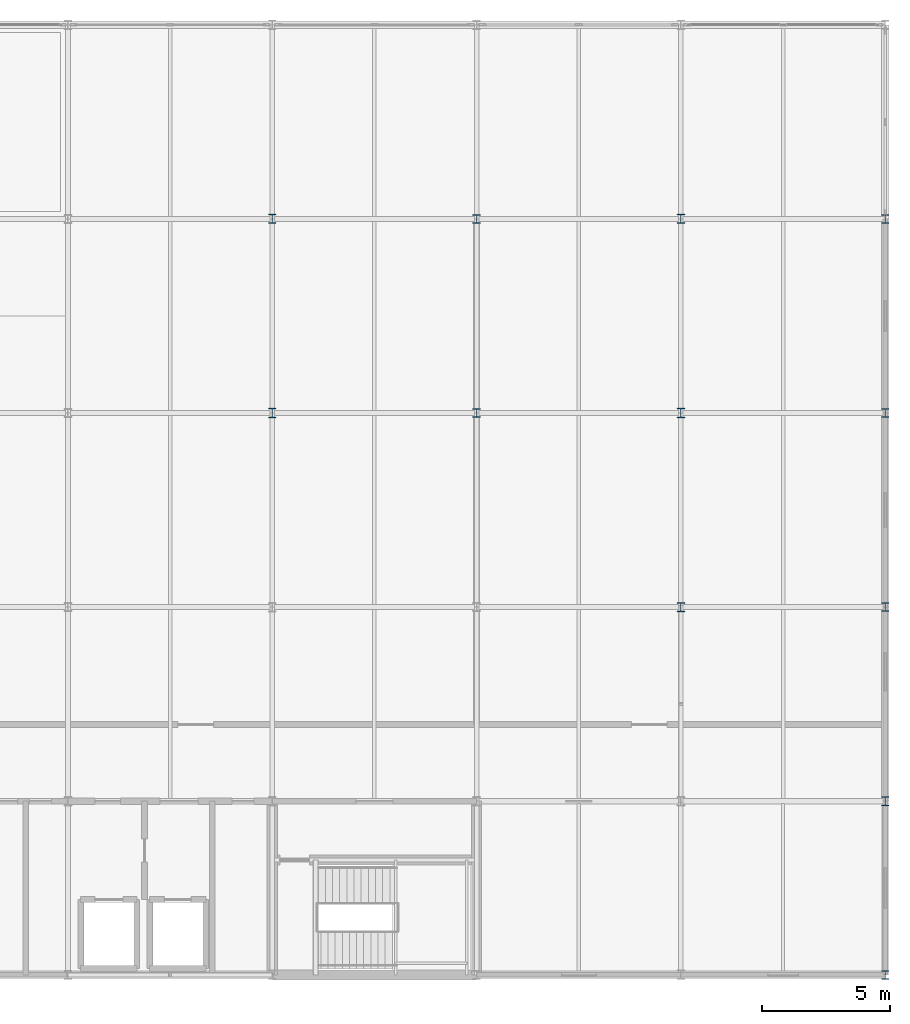
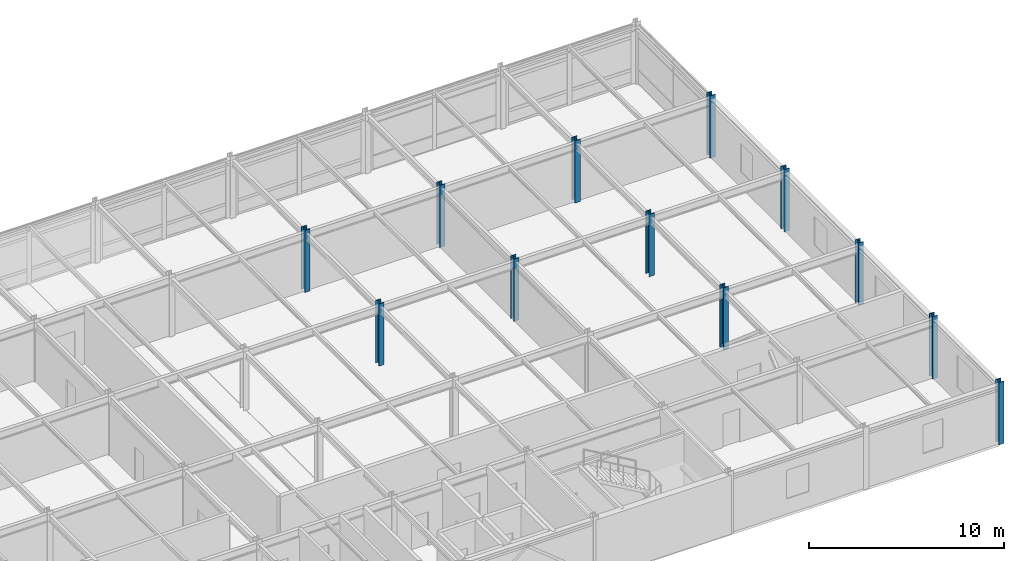
# One storey, part 2 of 16: 12 columns.
"""IFC4 building model written with IfcOpenShell, lengths in metres."""

import ifcopenshell
import ifcopenshell.guid

model = None  # the IFC model being written
_history = None  # IfcOwnerHistory: only IFC2X3 demands one
_inside = {}  # id of a spatial element -> (the spatial element, [elements in it])
_under = {}  # id of a project, library or spatial element -> (it, [spatial elements below it])
_declared = {}  # id of a project -> (the project, [libraries it declares])
_typed = {}  # id of a type object -> (the type object, [elements of that type])
_made_of = {}  # id of a material, layer set ... -> (it, [elements and type objects made of it])


def new_model(schema):
    """Start an empty IFC model of exactly this schema.

    Asked for "IFC4X3", IfcOpenShell would pick the latest addendum, in which some entities
    have other attributes; the version numbers below select the first issue.
    IFC2X3 requires an IfcOwnerHistory on every rooted entity: one is made here for all.
    """
    global model, _history
    if schema == "IFC4X3":
        model = ifcopenshell.file(schema_version=(4, 3, 0, 0))
    else:
        model = ifcopenshell.file(schema=schema)
    _inside.clear()
    _under.clear()
    _declared.clear()
    _typed.clear()
    _made_of.clear()
    _history = None
    if model.schema == "IFC2X3":
        org = make("IfcOrganization", Name="unknown")
        user = make(
            "IfcPersonAndOrganization",
            ThePerson=make("IfcPerson", FamilyName="unknown"),
            TheOrganization=org,
        )
        app = make(
            "IfcApplication",
            ApplicationDeveloper=org,
            Version="unknown",
            ApplicationFullName="unknown",
            ApplicationIdentifier="unknown",
        )
        _history = make(
            "IfcOwnerHistory",
            OwningUser=user,
            OwningApplication=app,
            ChangeAction="ADDED",
            CreationDate=0,
        )
    return model


def make(cls, **values):
    """One entity of the class cls with the attributes given. An attribute that is None is left unset."""
    return model.create_entity(
        cls, **{name: value for name, value in values.items() if value is not None}
    )


def rooted(cls, **values):
    """An entity with a GlobalId (a new one), such as an element, a storey or a relation."""
    return make(cls, GlobalId=ifcopenshell.guid.new(), OwnerHistory=_history, **values)


def si_unit(unit_type, name, prefix=None):
    """IfcSIUnit, for example si_unit("LENGTHUNIT", "METRE", prefix="MILLI")."""
    return make("IfcSIUnit", UnitType=unit_type, Prefix=prefix, Name=name)


def assignment(units):
    """IfcUnitAssignment: the units of a project."""
    return None if units is None else make("IfcUnitAssignment", Units=units)


def point(xyz):
    """IfcCartesianPoint."""
    return None if xyz is None else make("IfcCartesianPoint", Coordinates=xyz)


def direction(xyz):
    """IfcDirection."""
    return None if xyz is None else make("IfcDirection", DirectionRatios=xyz)


def frame(location, z_axis=None, x_axis=None):
    """IfcAxis2Placement3D, a coordinate frame: its origin and axes. An axis left out is left unset."""
    return make(
        "IfcAxis2Placement3D",
        Location=point(location),
        Axis=direction(z_axis),
        RefDirection=direction(x_axis),
    )


def frame_2d(location, x_axis=None):
    """IfcAxis2Placement2D, a coordinate frame in the plane: its origin and x axis."""
    return make(
        "IfcAxis2Placement2D", Location=point(location), RefDirection=direction(x_axis)
    )


def origin():
    """The frame at (0, 0, 0) with its axes left unset."""
    return frame((0.0, 0.0, 0.0))


def origin_2d():
    """The frame at (0, 0) in the plane with its x axis left unset."""
    return frame_2d((0.0, 0.0))


def place(relative_to, where):
    """IfcLocalPlacement: puts the frame where relative to a parent placement (None: the world)."""
    return make(
        "IfcLocalPlacement", PlacementRelTo=relative_to, RelativePlacement=where
    )


def context(
    kind, dimensions, precision=None, world=None, true_north=None, identifier=None
):
    """IfcGeometricRepresentationContext, for example the 3D "Model" context."""
    return make(
        "IfcGeometricRepresentationContext",
        ContextIdentifier=identifier,
        ContextType=kind,
        CoordinateSpaceDimension=dimensions,
        Precision=precision,
        WorldCoordinateSystem=world,
        TrueNorth=true_north,
    )


def subcontext(parent, identifier, kind, view, scale=None):
    """IfcGeometricRepresentationSubContext, for example "Body" below "Model"."""
    return make(
        "IfcGeometricRepresentationSubContext",
        ContextIdentifier=identifier,
        ContextType=kind,
        ParentContext=parent,
        TargetScale=scale,
        TargetView=view,
    )


def project(units=None, contexts=None):
    """IfcProject with its units and contexts."""
    return rooted(
        "IfcProject",
        Name="project",
        RepresentationContexts=contexts,
        UnitsInContext=assignment(units),
    )


def spatial(cls, under=None, at=None, **own):
    """A site, building, storey or space (cls), placed at a placement, below another one or the project."""
    s = rooted(cls, ObjectPlacement=at, **own)
    if under is not None:
        _under.setdefault(under.id(), (under, []))[1].append(s)
    return s


def profile(cls, at=None, kind="AREA", **sizes):
    """A parametric profile (cls). Its sizes go by their IFC names, for example OverallWidth=200.0."""
    return make(cls, ProfileType=kind, Position=at, **sizes)


def i_section(**sizes):
    """IfcIShapeProfileDef."""
    return profile("IfcIShapeProfileDef", **sizes)


def extrude(swept, where, along, depth):
    """IfcExtrudedAreaSolid: the profile swept, set in the frame where, extruded along a direction by depth."""
    return make(
        "IfcExtrudedAreaSolid",
        SweptArea=swept,
        Position=where,
        ExtrudedDirection=direction(along),
        Depth=depth,
    )


def shape(context_of_items, identifier, shape_type, items):
    """IfcShapeRepresentation: the items that make up one representation, for example the "Body"."""
    return make(
        "IfcShapeRepresentation",
        ContextOfItems=context_of_items,
        RepresentationIdentifier=identifier,
        RepresentationType=shape_type,
        Items=items,
    )


def material(Name=None, Category=None):
    """IfcMaterial."""
    return make("IfcMaterial", Name=Name, Category=Category)


def material_profile(
    of_material, cross_section, Name=None, Category=None, Priority=None
):
    """IfcMaterialProfile: a cross section and its material."""
    return make(
        "IfcMaterialProfile",
        Name=Name,
        Material=of_material,
        Profile=cross_section,
        Priority=Priority,
        Category=Category,
    )


def profile_set(profiles, Name=None, composite=None):
    """IfcMaterialProfileSet."""
    return make(
        "IfcMaterialProfileSet",
        Name=Name,
        MaterialProfiles=profiles,
        CompositeProfile=composite,
    )


def made_of(thing, what):
    """Note that an element or type object is made of a material, layer set ...; save() writes the relation."""
    if what is not None:
        _made_of.setdefault(what.id(), (what, []))[1].append(thing)
    return thing


def type_object(cls, material=None, **own):
    """A type object (cls), such as IfcWallType, which elements share."""
    return made_of(rooted(cls, **own), material)


def element(
    cls,
    number,
    at=None,
    inside=None,
    cuts=None,
    type_object=None,
    material=None,
    context=None,
    identifier="Body",
    shape_type=None,
    held_by="IfcProductDefinitionShape",
    body=None,
    shapes=None,
    **own,
):
    """One element of the class cls, such as IfcWall. Its Tag is "e" and its number.

    at: its placement. inside: the storey or other place that contains it. cuts: it is an
    opening in that element (IfcRelVoidsElement). A single representation is given by context,
    identifier, shape_type and body (its items); several are given by shapes. held_by: the class
    of the entity that holds the representations. save() writes the other relations.
    """
    e = rooted(cls, Tag="e%d" % number, ObjectPlacement=at, **own)
    if body is not None:
        shapes = [shape(context, identifier, shape_type, body)]
    if shapes is not None:
        e.Representation = make(held_by, Representations=shapes)
    if inside is not None:
        _inside.setdefault(inside.id(), (inside, []))[1].append(e)
    if cuts is not None:
        rooted(
            "IfcRelVoidsElement", RelatingBuildingElement=cuts, RelatedOpeningElement=e
        )
    if type_object is not None:
        _typed.setdefault(type_object.id(), (type_object, []))[1].append(e)
    return made_of(e, material)


def aggregate(whole, parts):
    """IfcRelAggregates: a whole, such as a stair, and the parts it consists of."""
    return rooted("IfcRelAggregates", RelatingObject=whole, RelatedObjects=parts)


def save(model, path):
    """Write the relations noted so far, then the file.

    IfcRelAggregates (storeys below a building ...), IfcRelContainedInSpatialStructure (elements
    in a storey), IfcRelDefinesByType, IfcRelAssociatesMaterial and IfcRelDeclares: one each for
    every whole, place, type object, material and project.
    """
    for whole, parts in _under.values():
        aggregate(whole, parts)
    for where, things in _inside.values():
        rooted(
            "IfcRelContainedInSpatialStructure",
            RelatedElements=things,
            RelatingStructure=where,
        )
    for kind, things in _typed.values():
        rooted("IfcRelDefinesByType", RelatedObjects=things, RelatingType=kind)
    for what, things in _made_of.values():
        rooted("IfcRelAssociatesMaterial", RelatedObjects=things, RelatingMaterial=what)
    for by, libraries in _declared.values():
        rooted("IfcRelDeclares", RelatingContext=by, RelatedDefinitions=libraries)
    model.write(path)


model = new_model("IFC4")

# Units and contexts
model_context = context("Model", 3, precision=1e-05, world=origin(), true_north=direction((0.0, 1.0)))
body_context = subcontext(model_context, "Body", "Model", "MODEL_VIEW")
ifc_project = project(units=[si_unit("LENGTHUNIT", "METRE"), si_unit("AREAUNIT", "SQUARE_METRE"), si_unit("VOLUMEUNIT", "CUBIC_METRE"), si_unit("PLANEANGLEUNIT", "RADIAN"), si_unit("MASSUNIT", "GRAM", prefix="KILO")], contexts=[model_context])

# Site, building, storey
site_placement = place(None, origin())
site = spatial("IfcSite", under=ifc_project, at=site_placement, CompositionType="ELEMENT")
building_placement = place(site_placement, origin())
building = spatial("IfcBuilding", under=site, at=building_placement, Name="Shalkamar Park Central Library", CompositionType="ELEMENT")
storey_placement = place(building_placement, frame((0.0, 0.0, 43.800048828125)))
storey = spatial("IfcBuildingStorey", under=building, at=storey_placement, Name="L11", CompositionType="ELEMENT", Elevation=43.800048828125)

# Columns
ifc_material = material(Name="Steel S355", Category="steel")
ifc_material_profile_1 = material_profile(ifc_material, i_section(OverallWidth=0.30908203125, OverallDepth=0.35888671875, WebThickness=0.02099609375, FlangeThickness=0.0400390625, FilletRadius=0.027099609375, at=origin_2d()), Name="HEM 320")
ifc_profile_set_1 = profile_set([ifc_material_profile_1], Name="Steel S355")
column_type_1 = type_object("IfcColumnType", Name="Column Steel HEM320", PredefinedType="COLUMN", material=ifc_profile_set_1)
for number, where, z_axis, x_axis, name in (
    (1, (205.0, 270.39990234375, 0.0), (0.0, 0.0, 1.0), (1.0, 0.0, 0.0), "Column 12/E (L11)"),
    (2, (205.0, 278.0, 0.0), (0.0, 0.0, 1.0), (1.0, 0.0, 0.0), "Column 12/F (L11)"),
    (3, (221.0, 248.39990234375, 0.0), (0.0, 0.0, 1.0), (1.0, 0.0, 0.0), "Column 14/B (L11)"),
    (4, (221.0, 255.199951171875, 0.0), (0.0, 0.0, 1.0), (1.0, 0.0, 0.0), "Column 14/C (L11)"),
    (5, (221.0, 262.800048828125, 0.0), (0.0, 0.0, 1.0), (1.0, 0.0, 0.0), "Column 14/D (L11)"),
    (6, (221.0, 270.39990234375, 0.0), (0.0, 0.0, 1.0), (1.0, 0.0, 0.0), "Column 14/E (L11)"),
    (7, (221.0, 278.0, 0.0), (0.0, 0.0, 1.0), (1.0, 0.0, 0.0), "Column 14/F (L11)"),
):
    element("IfcColumn", number, at=place(storey_placement, frame(where, z_axis=z_axis, x_axis=x_axis)), inside=storey, type_object=column_type_1, Name=name, PredefinedType="COLUMN", context=body_context, shape_type="SweptSolid", body=[
        extrude(i_section(OverallWidth=0.30908203125, OverallDepth=0.35888671875, WebThickness=0.02099609375, FlangeThickness=0.0400390625, FilletRadius=0.027099609375, at=origin_2d()), origin(), (0.0, 0.0, 1.0), 3.89990234375),
    ])
ifc_material_profile_2 = material_profile(ifc_material, i_section(OverallWidth=0.30908203125, OverallDepth=0.376953125, WebThickness=0.02099609375, FlangeThickness=0.0400390625, FilletRadius=0.027099609375, at=origin_2d()), Name="HEM 340")
ifc_profile_set_2 = profile_set([ifc_material_profile_2], Name="Steel S355")
column_type_2 = type_object("IfcColumnType", Name="Column Steel HEM340", PredefinedType="COLUMN", material=ifc_profile_set_2)
for number, where, z_axis, x_axis, name in (
    (8, (197.0, 270.39990234375, 0.0), (0.0, 0.0, 1.0), (1.0, 0.0, 0.0), "Column 11/E (L11)"),
    (9, (197.0, 278.0, 0.0), (0.0, 0.0, 1.0), (1.0, 0.0, 0.0), "Column 11/F (L11)"),
    (10, (213.0, 262.800048828125, 0.0), (0.0, 0.0, 1.0), (1.0, 0.0, 0.0), "Column 13/D (L11)"),
    (11, (213.0, 270.39990234375, 0.0), (0.0, 0.0, 1.0), (1.0, 0.0, 0.0), "Column 13/E (L11)"),
    (12, (213.0, 278.0, 0.0), (0.0, 0.0, 1.0), (1.0, 0.0, 0.0), "Column 13/F (L11)"),
):
    element("IfcColumn", number, at=place(storey_placement, frame(where, z_axis=z_axis, x_axis=x_axis)), inside=storey, type_object=column_type_2, Name=name, PredefinedType="COLUMN", context=body_context, shape_type="SweptSolid", body=[
        extrude(i_section(OverallWidth=0.30908203125, OverallDepth=0.376953125, WebThickness=0.02099609375, FlangeThickness=0.0400390625, FilletRadius=0.027099609375, at=origin_2d()), origin(), (0.0, 0.0, 1.0), 3.89990234375),
    ])

save(model, "model.ifc")
